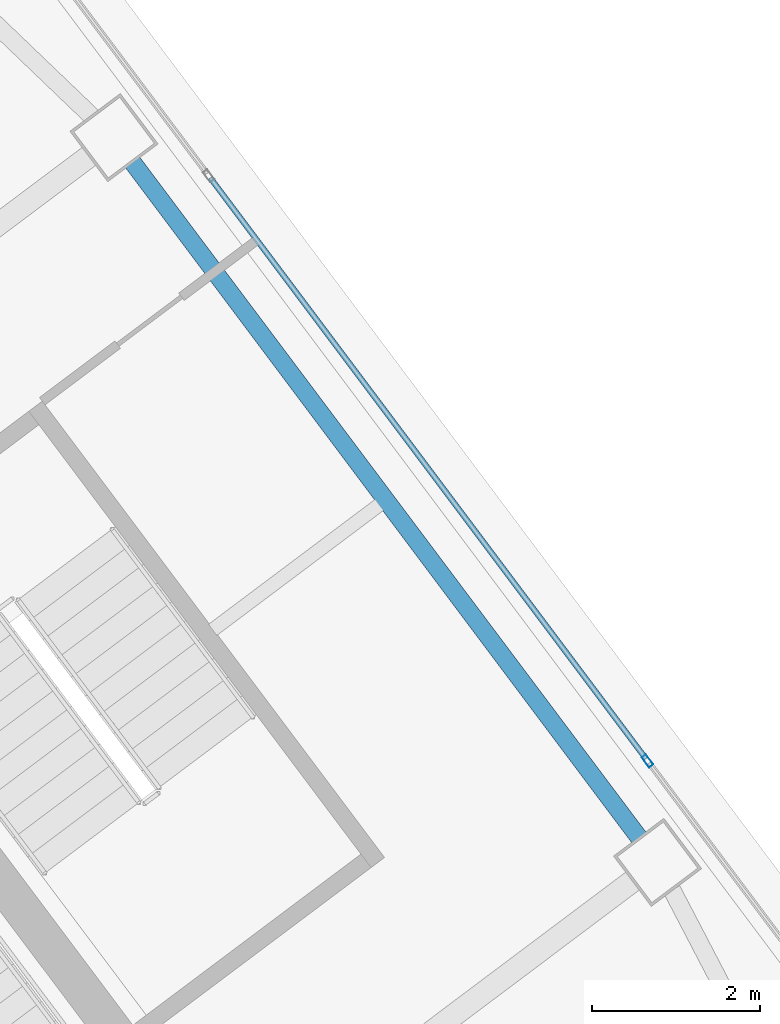
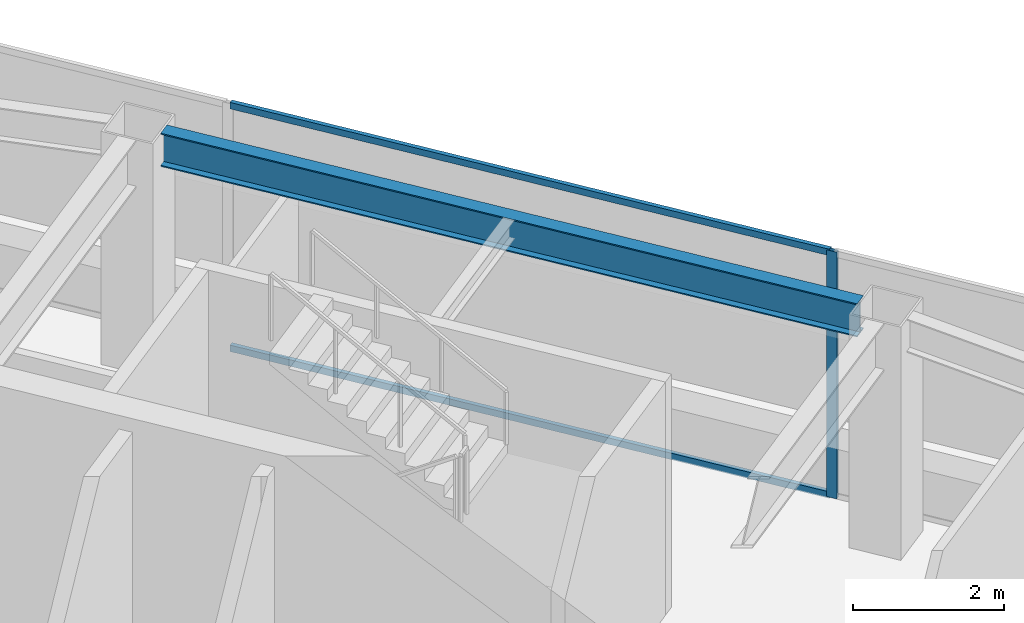
# One storey, part 37 of 53: 3 members, 1 beam, 1 element without a shape of its own.
"""IFC4 building model written with IfcOpenShell, lengths in metres."""

from ifc_helpers import new_model, si_unit, direction, frame, origin, origin_2d, place, context, subcontext, project, spatial, hollow_rectangle, i_section, extrude, material, material_profile, profile_set, type_object, element, aggregate, save


model = new_model("IFC4")

# Units and contexts
model_context = context("Model", 3, precision=1e-05, world=origin(), true_north=direction((0.0, 1.0)))
body_context = subcontext(model_context, "Body", "Model", "MODEL_VIEW")
ifc_project = project(units=[si_unit("LENGTHUNIT", "METRE"), si_unit("AREAUNIT", "SQUARE_METRE"), si_unit("VOLUMEUNIT", "CUBIC_METRE"), si_unit("PLANEANGLEUNIT", "RADIAN"), si_unit("MASSUNIT", "GRAM", prefix="KILO")], contexts=[model_context])

# Site, building, storey
site_placement = place(None, origin())
site = spatial("IfcSite", under=ifc_project, at=site_placement, CompositionType="ELEMENT")
building_placement = place(site_placement, origin())
building = spatial("IfcBuilding", under=site, at=building_placement, Name="Tashvorn Skyway Center", CompositionType="ELEMENT")
storey_placement = place(building_placement, frame((0.0, 0.0, 255.39990234375)))
storey = spatial("IfcBuildingStorey", under=building, at=storey_placement, Name="L69", CompositionType="ELEMENT", Elevation=255.39990234375)

# Beam
ifc_material_1 = material(Name="Steel ASTM A992 Grade 50", Category="steel")
ifc_material_profile_1 = material_profile(ifc_material_1, i_section(OverallWidth=0.2109375, OverallDepth=0.5390625, WebThickness=0.01171875, FlangeThickness=0.018798828125, at=origin_2d()), Name="W21X73")
ifc_profile_set_1 = profile_set([ifc_material_profile_1], Name="Steel ASTM A992 Grade 50")
beam_type = type_object("IfcBeamType", Name="BM-SPANDREL-W21X73", PredefinedType="SPANDREL", material=ifc_profile_set_1)
beam_placement = place(storey_placement, frame((128.41796875, 36.52587890625, 3.510498046875), z_axis=(-0.599988351091, 0.800008736549, 0.0), x_axis=(-0.800008736549, -0.599988351091, 0.0)))
element("IfcBeam", 1, at=beam_placement, inside=storey, type_object=beam_type, Name="Tower 2 L69 Spandrel Beam 05", PredefinedType="SPANDREL", context=body_context, shape_type="SweptSolid", body=[
    extrude(i_section(OverallWidth=0.2109375, OverallDepth=0.5390625, WebThickness=0.01171875, FlangeThickness=0.018798828125, at=origin_2d()), origin(), (0.0, 0.0, 1.0), 10.06005859375),
])

# Curtain wall, members
ifc_material_2 = material(Name="Thermally broken bronze-anodized aluminium 6063-T6", Category="aluminium")
curtain_wall_type = type_object("IfcCurtainWallType", Name="CW-CW-SKY", PredefinedType="NOTDEFINED", material=ifc_material_2)
curtain_wall_placement = place(storey_placement, origin())
curtain_wall = element("IfcCurtainWall", 2, at=curtain_wall_placement, inside=storey, type_object=curtain_wall_type, Name="Tower 2 L69 East Unitised Curtain Wall", PredefinedType="NOTDEFINED")
ifc_material_profile_2 = material_profile(ifc_material_2, hollow_rectangle(XDim=0.06494140625, YDim=0.14990234375, WallThickness=0.00390625, at=origin_2d()), Name="ALU-MULL-65x150")
ifc_profile_set_2 = profile_set([ifc_material_profile_2], Name="Thermally broken bronze-anodized aluminium 6063-T6")
member_type_1 = type_object("IfcMemberType", Name="CWM-CW-SKY", PredefinedType="MULLION", material=ifc_profile_set_2)
member_1_placement = place(storey_placement, frame((128.52001953125, 37.43994140625, 0.0), z_axis=(0.0, 0.0, 1.0), x_axis=(0.799999999998, 0.600000000002, 0.0)))
member_1 = element("IfcMember", 3, at=member_1_placement, type_object=member_type_1, Name="CW-SKY mullion 3", PredefinedType="MULLION", context=body_context, shape_type="SweptSolid", body=[
    extrude(hollow_rectangle(XDim=0.06494140625, YDim=0.14990234375, WallThickness=0.00390625, at=origin_2d()), origin(), (0.0, 0.0, 1.0), 4.0),
])
ifc_material_profile_3 = material_profile(ifc_material_2, hollow_rectangle(XDim=0.06494140625, YDim=0.10498046875, WallThickness=0.00390625, at=origin_2d()), Name="ALU-TRAN-65x105")
ifc_profile_set_3 = profile_set([ifc_material_profile_3], Name="Thermally broken bronze-anodized aluminium 6063-T6")
member_type_2 = type_object("IfcMemberType", Name="CWT-CW-SKY", PredefinedType="USERDEFINED", material=ifc_profile_set_3)
member_2_placement = place(storey_placement, frame((123.3076171875, 44.389892578125, 0.03271484375), z_axis=(0.6, -0.8, 0.0), x_axis=(0.8, 0.6, 0.0)))
member_2 = element("IfcMember", 4, at=member_2_placement, type_object=member_type_2, Name="CW-SKY transom 2.1", ObjectType="TRANSOM", PredefinedType="USERDEFINED", context=body_context, shape_type="SweptSolid", body=[
    extrude(hollow_rectangle(XDim=0.06494140625, YDim=0.10498046875, WallThickness=0.00390625, at=origin_2d()), origin(), (0.0, 0.0, 1.0), 8.65478515625),
])
member_3_placement = place(storey_placement, frame((123.3076171875, 44.389892578125, 3.967529296875), z_axis=(0.6, -0.8, 0.0), x_axis=(0.8, 0.6, 0.0)))
member_3 = element("IfcMember", 5, at=member_3_placement, type_object=member_type_2, Name="CW-SKY transom 2.2", ObjectType="TRANSOM", PredefinedType="USERDEFINED", context=body_context, shape_type="SweptSolid", body=[
    extrude(hollow_rectangle(XDim=0.06494140625, YDim=0.10498046875, WallThickness=0.00390625, at=origin_2d()), origin(), (0.0, 0.0, 1.0), 8.65478515625),
])
aggregate(curtain_wall, [member_1, member_2, member_3])

save(model, "model.ifc")
